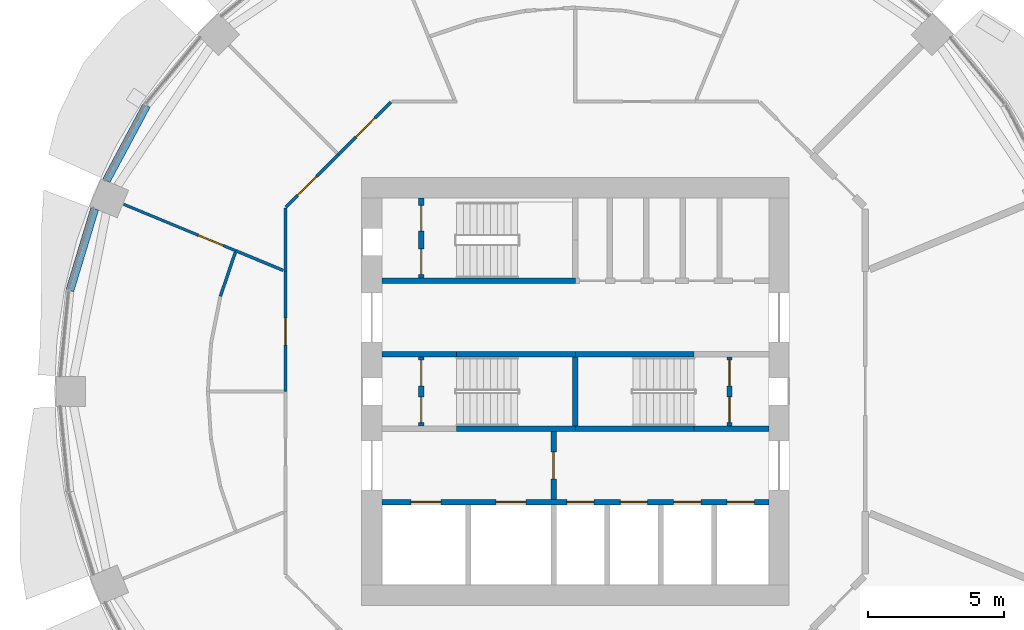
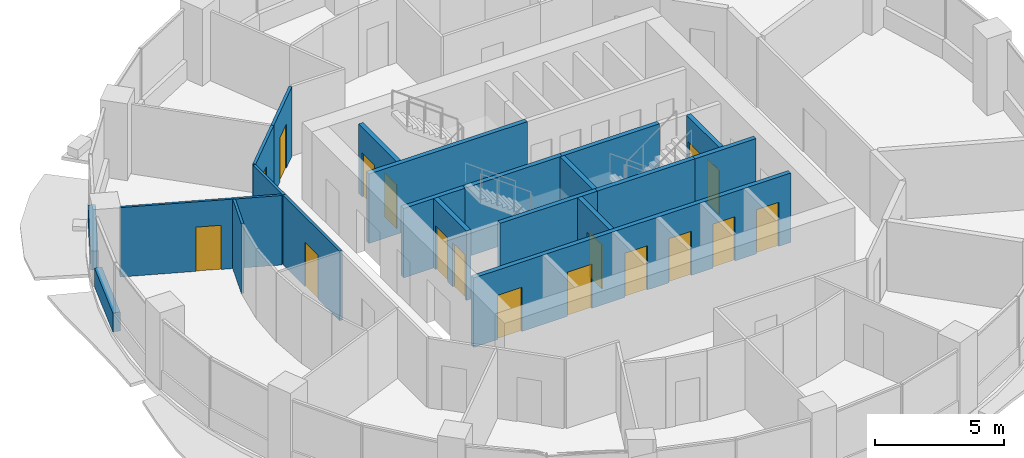
# One storey, part 8 of 14: 22 walls, 17 doors, 17 openings.
"""IFC4 building model written with IfcOpenShell, lengths in metres."""

from ifc_helpers import new_model, si_unit, direction, frame, frame_2d, origin, place, context, subcontext, project, spatial, rectangle, extrude, material, layer, layer_set, type_object, element, fill, save


model = new_model("IFC4")

# Units and contexts
model_context = context("Model", 3, precision=1e-05, world=origin(), true_north=direction((0.0, 1.0)))
body_context = subcontext(model_context, "Body", "Model", "MODEL_VIEW")
ifc_project = project(units=[si_unit("LENGTHUNIT", "METRE"), si_unit("AREAUNIT", "SQUARE_METRE"), si_unit("VOLUMEUNIT", "CUBIC_METRE"), si_unit("PLANEANGLEUNIT", "RADIAN"), si_unit("MASSUNIT", "GRAM", prefix="KILO")], contexts=[model_context])

# Site, building, storey
site_placement = place(None, origin())
site = spatial("IfcSite", under=ifc_project, at=site_placement, CompositionType="ELEMENT")
building_placement = place(site_placement, origin())
building = spatial("IfcBuilding", under=site, at=building_placement, Name="Polderwave Tower", CompositionType="ELEMENT")
storey_placement = place(building_placement, frame((0.0, 0.0, 109.25)))
storey = spatial("IfcBuildingStorey", under=building, at=storey_placement, Name="L28", CompositionType="ELEMENT", Elevation=109.25)

# Walls
ifc_material_1 = material(Name="Concrete C50/60 (board-marked)", Category="concrete")
ifc_layer_1 = layer(ifc_material_1, 0.300048828125)
ifc_layer_set_1 = layer_set([ifc_layer_1], Name="Concrete spandrel upstand C50/60")
wall_type_1 = type_object("IfcWallType", Name="Concrete spandrel upstand C50/60", PredefinedType="SOLIDWALL", material=ifc_layer_set_1)
wall_1_placement = place(storey_placement, frame((-15.7880859375, 10.53173828125, 0.0), z_axis=(0.0, 0.0, 1.0), x_axis=(-0.471375185282, -0.88193278355, 0.0)))
element("IfcWall", 1, at=wall_1_placement, inside=storey, type_object=wall_type_1, Name="Spandrel L28 7b", PredefinedType="SOLIDWALL", context=body_context, shape_type="SweptSolid", body=[
    extrude(rectangle(XDim=3.13916015625, YDim=0.300048828125, at=frame_2d((1.569580078125, 0.0))), origin(), (0.0, 0.0, 1.0), 0.89990234375),
])
wall_2_placement = place(storey_placement, frame((-17.699462890625, 6.7216796875, 0.0), z_axis=(0.0, 0.0, 1.0), x_axis=(-0.290214584271, -0.956961595403, 0.0)))
element("IfcWall", 2, at=wall_2_placement, inside=storey, type_object=wall_type_1, Name="Spandrel L28 8a", PredefinedType="SOLIDWALL", context=body_context, shape_type="SweptSolid", body=[
    extrude(rectangle(XDim=3.139404296875, YDim=0.300048828125, at=frame_2d((1.56982421875, 0.0))), origin(), (0.0, 0.0, 1.0), 0.89990234375),
])

# Wall, opening, door
ifc_material_2 = material(Name="Gypsum board partition")
ifc_layer_2 = layer(ifc_material_2, 0.199951171875)
ifc_layer_set_2 = layer_set([ifc_layer_2], Name="Core room partition 200")
wall_type_2 = type_object("IfcWallType", Name="Core room partition 200", PredefinedType="PARTITIONING", material=ifc_layer_set_2)
wall_3_placement = place(storey_placement, frame((-0.800048828125, -3.97412109375, 0.0), z_axis=(0.0, 0.0, 1.0), x_axis=(0.0, 1.0, 0.0)))
wall_3 = element("IfcWall", 3, at=wall_3_placement, inside=storey, type_object=wall_type_2, Name="L28 fire-fighting lobby wall", PredefinedType="PARTITIONING", context=body_context, shape_type="SweptSolid", body=[
    extrude(rectangle(XDim=2.4990234375, YDim=0.199951171875, at=frame_2d((1.24951171875, 0.0))), origin(), (0.0, 0.0, 1.0), 3.300048828125),
])
opening_1_placement = place(wall_3_placement, frame((0.74951171875, 0.0, 0.0)))
opening_1 = element("IfcOpeningElement", 4, at=opening_1_placement, cuts=wall_3, Name="Opening L28-D13", PredefinedType="OPENING", context=body_context, shape_type="SweptSolid", body=[
    extrude(rectangle(XDim=1.0, YDim=2.10009765625, at=frame_2d((0.5, 1.050048828125))), frame((0.0, 0.10986328125, 0.0), z_axis=(0.0, -1.0, 0.0), x_axis=(1.0, 0.0, 0.0)), (0.0, 0.0, 1.0), 0.219970703125),
])
ifc_material_3 = material(Name="Steel fire door", Category="steel")
door_type_1 = type_object("IfcDoorType", Name="Lobby fire door 1000", OperationType="NOTDEFINED", PredefinedType="DOOR", material=ifc_material_3)
door_1_placement = place(opening_1_placement, frame((1.0, 0.0, 0.0), z_axis=(0.0, 0.0, 1.0), x_axis=(-1.0, 0.0, 0.0)))
door_1 = element("IfcDoor", 5, at=door_1_placement, inside=storey, type_object=door_type_1, Name="Fire-fighting lobby door", OperationType="SINGLE_SWING_LEFT", OverallHeight=2.10009765625, OverallWidth=1.0, PredefinedType="DOOR", context=body_context, shape_type="SweptSolid", body=[
    extrude(rectangle(XDim=1.0, YDim=2.10009765625, at=frame_2d((0.5, 1.050048828125))), frame((0.0, 0.02490234375, 0.0), z_axis=(0.0, -1.0, 0.0), x_axis=(1.0, 0.0, 0.0)), (0.0, 0.0, 1.0), 0.050048828125),
])
fill(opening_1, door_1)

# Wall, openings, doors
wall_4_placement = place(storey_placement, frame((-5.674072265625, -1.27490234375, 0.0), z_axis=(0.0, 0.0, 1.0), x_axis=(0.0, 1.0, 0.0)))
wall_4 = element("IfcWall", 6, at=wall_4_placement, inside=storey, type_object=wall_type_2, Name="L28 smoke lobby wall A", PredefinedType="PARTITIONING", context=body_context, shape_type="SweptSolid", body=[
    extrude(rectangle(XDim=2.5498046875, YDim=0.199951171875, at=frame_2d((1.27490234375, 0.0))), origin(), (0.0, 0.0, 1.0), 3.300048828125),
])
opening_2_placement = place(wall_4_placement, frame((0.125, 0.0, 0.0)))
opening_2 = element("IfcOpeningElement", 7, at=opening_2_placement, cuts=wall_4, Name="Opening L28-D07", PredefinedType="OPENING", context=body_context, shape_type="SweptSolid", body=[
    extrude(rectangle(XDim=0.949951171875, YDim=2.10009765625, at=frame_2d((0.47509765625, 1.050048828125))), frame((0.0, 0.10986328125, 0.0), z_axis=(0.0, -1.0, 0.0), x_axis=(1.0, 0.0, 0.0)), (0.0, 0.0, 1.0), 0.219970703125),
])
opening_3_placement = place(wall_4_placement, frame((1.47509765625, 0.0, 0.0)))
opening_3 = element("IfcOpeningElement", 8, at=opening_3_placement, cuts=wall_4, Name="Opening L28-D08", PredefinedType="OPENING", context=body_context, shape_type="SweptSolid", body=[
    extrude(rectangle(XDim=0.949951171875, YDim=2.10009765625, at=frame_2d((0.47509765625, 1.050048828125))), frame((0.0, 0.10986328125, 0.0), z_axis=(0.0, -1.0, 0.0), x_axis=(1.0, 0.0, 0.0)), (0.0, 0.0, 1.0), 0.219970703125),
])
door_type_2 = type_object("IfcDoorType", Name="Smoke lobby door 950", OperationType="NOTDEFINED", PredefinedType="DOOR", material=ifc_material_3)
door_2_placement = place(opening_2_placement, origin())
door_2 = element("IfcDoor", 9, at=door_2_placement, inside=storey, type_object=door_type_2, Name="Stair A smoke lobby inner door", OperationType="SINGLE_SWING_LEFT", OverallHeight=2.10009765625, OverallWidth=0.949951171875, PredefinedType="DOOR", context=body_context, shape_type="SweptSolid", body=[
    extrude(rectangle(XDim=0.949951171875, YDim=2.10009765625, at=frame_2d((0.47509765625, 1.050048828125))), frame((0.0, 0.02490234375, 0.0), z_axis=(0.0, -1.0, 0.0), x_axis=(1.0, 0.0, 0.0)), (0.0, 0.0, 1.0), 0.050048828125),
])
fill(opening_2, door_2)
door_3_placement = place(opening_3_placement, origin())
door_3 = element("IfcDoor", 10, at=door_3_placement, inside=storey, type_object=door_type_2, Name="Stair A smoke lobby inner door", OperationType="SINGLE_SWING_RIGHT", OverallHeight=2.10009765625, OverallWidth=0.949951171875, PredefinedType="DOOR", context=body_context, shape_type="SweptSolid", body=[
    extrude(rectangle(XDim=0.949951171875, YDim=2.10009765625, at=frame_2d((0.47509765625, 1.050048828125))), frame((0.0, 0.02490234375, 0.0), z_axis=(0.0, -1.0, 0.0), x_axis=(1.0, 0.0, 0.0)), (0.0, 0.0, 1.0), 0.050048828125),
])
fill(opening_3, door_3)

wall_5_placement = place(storey_placement, frame((5.674072265625, -1.27490234375, 0.0), z_axis=(0.0, 0.0, 1.0), x_axis=(0.0, 1.0, 0.0)))
wall_5 = element("IfcWall", 11, at=wall_5_placement, inside=storey, type_object=wall_type_2, Name="L28 smoke lobby wall B", PredefinedType="PARTITIONING", context=body_context, shape_type="SweptSolid", body=[
    extrude(rectangle(XDim=2.5498046875, YDim=0.199951171875, at=frame_2d((1.27490234375, 0.0))), origin(), (0.0, 0.0, 1.0), 3.300048828125),
])
opening_4_placement = place(wall_5_placement, frame((0.125, 0.0, 0.0)))
opening_4 = element("IfcOpeningElement", 12, at=opening_4_placement, cuts=wall_5, Name="Opening L28-D09", PredefinedType="OPENING", context=body_context, shape_type="SweptSolid", body=[
    extrude(rectangle(XDim=0.949951171875, YDim=2.10009765625, at=frame_2d((0.47509765625, 1.050048828125))), frame((0.0, 0.10986328125, 0.0), z_axis=(0.0, -1.0, 0.0), x_axis=(1.0, 0.0, 0.0)), (0.0, 0.0, 1.0), 0.219970703125),
])
opening_5_placement = place(wall_5_placement, frame((1.47509765625, 0.0, 0.0)))
opening_5 = element("IfcOpeningElement", 13, at=opening_5_placement, cuts=wall_5, Name="Opening L28-D10", PredefinedType="OPENING", context=body_context, shape_type="SweptSolid", body=[
    extrude(rectangle(XDim=0.949951171875, YDim=2.10009765625, at=frame_2d((0.47509765625, 1.050048828125))), frame((0.0, 0.10986328125, 0.0), z_axis=(0.0, -1.0, 0.0), x_axis=(1.0, 0.0, 0.0)), (0.0, 0.0, 1.0), 0.219970703125),
])
door_4_placement = place(opening_4_placement, frame((0.949951171875, 0.0, 0.0), z_axis=(0.0, 0.0, 1.0), x_axis=(-1.0, 0.0, 0.0)))
door_4 = element("IfcDoor", 14, at=door_4_placement, inside=storey, type_object=door_type_2, Name="Stair B smoke lobby inner door", OperationType="SINGLE_SWING_RIGHT", OverallHeight=2.10009765625, OverallWidth=0.949951171875, PredefinedType="DOOR", context=body_context, shape_type="SweptSolid", body=[
    extrude(rectangle(XDim=0.949951171875, YDim=2.10009765625, at=frame_2d((0.47509765625, 1.050048828125))), frame((0.0, 0.02490234375, 0.0), z_axis=(0.0, -1.0, 0.0), x_axis=(1.0, 0.0, 0.0)), (0.0, 0.0, 1.0), 0.050048828125),
])
fill(opening_4, door_4)
door_5_placement = place(opening_5_placement, frame((0.949951171875, 0.0, 0.0), z_axis=(0.0, 0.0, 1.0), x_axis=(-1.0, 0.0, 0.0)))
door_5 = element("IfcDoor", 15, at=door_5_placement, inside=storey, type_object=door_type_2, Name="Stair B smoke lobby inner door", OperationType="SINGLE_SWING_LEFT", OverallHeight=2.10009765625, OverallWidth=0.949951171875, PredefinedType="DOOR", context=body_context, shape_type="SweptSolid", body=[
    extrude(rectangle(XDim=0.949951171875, YDim=2.10009765625, at=frame_2d((0.47509765625, 1.050048828125))), frame((0.0, 0.02490234375, 0.0), z_axis=(0.0, -1.0, 0.0), x_axis=(1.0, 0.0, 0.0)), (0.0, 0.0, 1.0), 0.050048828125),
])
fill(opening_5, door_5)

wall_6_placement = place(storey_placement, frame((-5.674072265625, 4.174072265625, 0.0), z_axis=(0.0, 0.0, 1.0), x_axis=(0.0, 1.0, 0.0)))
wall_6 = element("IfcWall", 16, at=wall_6_placement, inside=storey, type_object=wall_type_2, Name="L28 smoke lobby wall C", PredefinedType="PARTITIONING", context=body_context, shape_type="SweptSolid", body=[
    extrude(rectangle(XDim=2.949951171875, YDim=0.199951171875, at=frame_2d((1.47509765625, 0.0))), origin(), (0.0, 0.0, 1.0), 3.300048828125),
])
opening_6_placement = place(wall_6_placement, frame((0.125, 0.0, 0.0)))
opening_6 = element("IfcOpeningElement", 17, at=opening_6_placement, cuts=wall_6, Name="Opening L28-D11", PredefinedType="OPENING", context=body_context, shape_type="SweptSolid", body=[
    extrude(rectangle(XDim=0.949951171875, YDim=2.10009765625, at=frame_2d((0.47509765625, 1.050048828125))), frame((0.0, 0.10986328125, 0.0), z_axis=(0.0, -1.0, 0.0), x_axis=(1.0, 0.0, 0.0)), (0.0, 0.0, 1.0), 0.219970703125),
])
opening_7_placement = place(wall_6_placement, frame((1.72509765625, 0.0, 0.0)))
opening_7 = element("IfcOpeningElement", 18, at=opening_7_placement, cuts=wall_6, Name="Opening L28-D12", PredefinedType="OPENING", context=body_context, shape_type="SweptSolid", body=[
    extrude(rectangle(XDim=0.949951171875, YDim=2.10009765625, at=frame_2d((0.47509765625, 1.050048828125))), frame((0.0, 0.10986328125, 0.0), z_axis=(0.0, -1.0, 0.0), x_axis=(1.0, 0.0, 0.0)), (0.0, 0.0, 1.0), 0.219970703125),
])
door_6_placement = place(opening_6_placement, origin())
door_6 = element("IfcDoor", 19, at=door_6_placement, inside=storey, type_object=door_type_2, Name="Stair C smoke lobby inner door", OperationType="SINGLE_SWING_LEFT", OverallHeight=2.10009765625, OverallWidth=0.949951171875, PredefinedType="DOOR", context=body_context, shape_type="SweptSolid", body=[
    extrude(rectangle(XDim=0.949951171875, YDim=2.10009765625, at=frame_2d((0.47509765625, 1.050048828125))), frame((0.0, 0.02490234375, 0.0), z_axis=(0.0, -1.0, 0.0), x_axis=(1.0, 0.0, 0.0)), (0.0, 0.0, 1.0), 0.050048828125),
])
fill(opening_6, door_6)
door_7_placement = place(opening_7_placement, origin())
door_7 = element("IfcDoor", 20, at=door_7_placement, inside=storey, type_object=door_type_2, Name="Stair C smoke lobby inner door", OperationType="SINGLE_SWING_RIGHT", OverallHeight=2.10009765625, OverallWidth=0.949951171875, PredefinedType="DOOR", context=body_context, shape_type="SweptSolid", body=[
    extrude(rectangle(XDim=0.949951171875, YDim=2.10009765625, at=frame_2d((0.47509765625, 1.050048828125))), frame((0.0, 0.02490234375, 0.0), z_axis=(0.0, -1.0, 0.0), x_axis=(1.0, 0.0, 0.0)), (0.0, 0.0, 1.0), 0.050048828125),
])
fill(opening_7, door_7)

ifc_material_4 = material(Name="Concrete C50/60", Category="concrete")
ifc_layer_3 = layer(ifc_material_4, 0.199951171875)
ifc_layer_set_3 = layer_set([ifc_layer_3], Name="Core web wall 200")
wall_type_3 = type_object("IfcWallType", Name="Core web wall 200", PredefinedType="SHEAR", material=ifc_layer_set_3)
wall_7_placement = place(storey_placement, frame((-7.1240234375, -4.073974609375, 0.0), z_axis=(0.0, 0.0, 1.0), x_axis=(1.0, 0.0, 0.0)))
wall_7 = element("IfcWall", 21, at=wall_7_placement, inside=storey, type_object=wall_type_3, Name="L28 south front wall", PredefinedType="SHEAR", context=body_context, shape_type="SweptSolid", body=[
    extrude(rectangle(XDim=14.248046875, YDim=0.199951171875, at=frame_2d((7.1240234375, 0.0))), origin(), (0.0, 0.0, 1.0), 3.300048828125),
])
opening_8_placement = place(wall_7_placement, frame((1.068603515625, 0.0, 0.0)))
opening_8 = element("IfcOpeningElement", 22, at=opening_8_placement, cuts=wall_7, Name="Opening L28-D01", PredefinedType="OPENING", context=body_context, shape_type="SweptSolid", body=[
    extrude(rectangle(XDim=1.10009765625, YDim=2.10009765625, at=frame_2d((0.550048828125, 1.050048828125))), frame((0.0, 0.10986328125, 0.0), z_axis=(0.0, -1.0, 0.0), x_axis=(1.0, 0.0, 0.0)), (0.0, 0.0, 1.0), 0.219970703125),
])
opening_9_placement = place(wall_7_placement, frame((4.20556640625, 0.0, 0.0)))
opening_9 = element("IfcOpeningElement", 23, at=opening_9_placement, cuts=wall_7, Name="Opening L28-D02", PredefinedType="OPENING", context=body_context, shape_type="SweptSolid", body=[
    extrude(rectangle(XDim=1.10009765625, YDim=2.10009765625, at=frame_2d((0.550048828125, 1.050048828125))), frame((0.0, 0.10986328125, 0.0), z_axis=(0.0, -1.0, 0.0), x_axis=(1.0, 0.0, 0.0)), (0.0, 0.0, 1.0), 0.219970703125),
])
opening_10_placement = place(wall_7_placement, frame((6.80810546875, 0.0, 0.0)))
opening_10 = element("IfcOpeningElement", 24, at=opening_10_placement, cuts=wall_7, Name="Opening L28-D03", PredefinedType="OPENING", context=body_context, shape_type="SweptSolid", body=[
    extrude(rectangle(XDim=1.0, YDim=2.10009765625, at=frame_2d((0.5, 1.050048828125))), frame((0.0, 0.10986328125, 0.0), z_axis=(0.0, -1.0, 0.0), x_axis=(1.0, 0.0, 0.0)), (0.0, 0.0, 1.0), 0.219970703125),
])
opening_11_placement = place(wall_7_placement, frame((8.776611328125, 0.0, 0.0)))
opening_11 = element("IfcOpeningElement", 25, at=opening_11_placement, cuts=wall_7, Name="Opening L28-D04", PredefinedType="OPENING", context=body_context, shape_type="SweptSolid", body=[
    extrude(rectangle(XDim=1.0, YDim=2.10009765625, at=frame_2d((0.5, 1.050048828125))), frame((0.0, 0.10986328125, 0.0), z_axis=(0.0, -1.0, 0.0), x_axis=(1.0, 0.0, 0.0)), (0.0, 0.0, 1.0), 0.219970703125),
])
opening_12_placement = place(wall_7_placement, frame((10.7451171875, 0.0, 0.0)))
opening_12 = element("IfcOpeningElement", 26, at=opening_12_placement, cuts=wall_7, Name="Opening L28-D05", PredefinedType="OPENING", context=body_context, shape_type="SweptSolid", body=[
    extrude(rectangle(XDim=1.0, YDim=2.10009765625, at=frame_2d((0.5, 1.050048828125))), frame((0.0, 0.10986328125, 0.0), z_axis=(0.0, -1.0, 0.0), x_axis=(1.0, 0.0, 0.0)), (0.0, 0.0, 1.0), 0.219970703125),
])
opening_13_placement = place(wall_7_placement, frame((12.7138671875, 0.0, 0.0)))
opening_13 = element("IfcOpeningElement", 27, at=opening_13_placement, cuts=wall_7, Name="Opening L28-D06", PredefinedType="OPENING", context=body_context, shape_type="SweptSolid", body=[
    extrude(rectangle(XDim=1.0, YDim=2.10009765625, at=frame_2d((0.5, 1.050048828125))), frame((0.0, 0.10986328125, 0.0), z_axis=(0.0, -1.0, 0.0), x_axis=(1.0, 0.0, 0.0)), (0.0, 0.0, 1.0), 0.219970703125),
])
ifc_material_5 = material(Name="Stainless steel", Category="steel")
door_type_3 = type_object("IfcDoorType", Name="Fire-fighting lift landing door 1100", OperationType="DOUBLE_DOOR_SLIDING", PredefinedType="DOOR", material=ifc_material_5)
door_8_placement = place(opening_8_placement, origin())
door_8 = element("IfcDoor", 28, at=door_8_placement, inside=storey, type_object=door_type_3, Name="Fire-fighting lift FF1 landing door", OperationType="DOUBLE_DOOR_SLIDING", OverallHeight=2.10009765625, OverallWidth=1.10009765625, PredefinedType="DOOR", context=body_context, shape_type="SweptSolid", body=[
    extrude(rectangle(XDim=1.10009765625, YDim=2.10009765625, at=frame_2d((0.550048828125, 1.050048828125))), frame((0.0, 0.02490234375, 0.0), z_axis=(0.0, -1.0, 0.0), x_axis=(1.0, 0.0, 0.0)), (0.0, 0.0, 1.0), 0.050048828125),
])
fill(opening_8, door_8)
door_9_placement = place(opening_9_placement, origin())
door_9 = element("IfcDoor", 29, at=door_9_placement, inside=storey, type_object=door_type_3, Name="Fire-fighting lift FF2 landing door", OperationType="DOUBLE_DOOR_SLIDING", OverallHeight=2.10009765625, OverallWidth=1.10009765625, PredefinedType="DOOR", context=body_context, shape_type="SweptSolid", body=[
    extrude(rectangle(XDim=1.10009765625, YDim=2.10009765625, at=frame_2d((0.550048828125, 1.050048828125))), frame((0.0, 0.02490234375, 0.0), z_axis=(0.0, -1.0, 0.0), x_axis=(1.0, 0.0, 0.0)), (0.0, 0.0, 1.0), 0.050048828125),
])
fill(opening_9, door_9)
door_type_4 = type_object("IfcDoorType", Name="Lift landing door 1000", OperationType="DOUBLE_DOOR_SLIDING", PredefinedType="DOOR", material=ifc_material_5)
door_10_placement = place(opening_10_placement, origin())
door_10 = element("IfcDoor", 30, at=door_10_placement, inside=storey, type_object=door_type_4, Name="Lift LL1 landing door", OperationType="DOUBLE_DOOR_SLIDING", OverallHeight=2.10009765625, OverallWidth=1.0, PredefinedType="DOOR", context=body_context, shape_type="SweptSolid", body=[
    extrude(rectangle(XDim=1.0, YDim=2.10009765625, at=frame_2d((0.5, 1.050048828125))), frame((0.0, 0.02490234375, 0.0), z_axis=(0.0, -1.0, 0.0), x_axis=(1.0, 0.0, 0.0)), (0.0, 0.0, 1.0), 0.050048828125),
])
fill(opening_10, door_10)
door_11_placement = place(opening_11_placement, origin())
door_11 = element("IfcDoor", 31, at=door_11_placement, inside=storey, type_object=door_type_4, Name="Lift LL2 landing door", OperationType="DOUBLE_DOOR_SLIDING", OverallHeight=2.10009765625, OverallWidth=1.0, PredefinedType="DOOR", context=body_context, shape_type="SweptSolid", body=[
    extrude(rectangle(XDim=1.0, YDim=2.10009765625, at=frame_2d((0.5, 1.050048828125))), frame((0.0, 0.02490234375, 0.0), z_axis=(0.0, -1.0, 0.0), x_axis=(1.0, 0.0, 0.0)), (0.0, 0.0, 1.0), 0.050048828125),
])
fill(opening_11, door_11)
door_12_placement = place(opening_12_placement, origin())
door_12 = element("IfcDoor", 32, at=door_12_placement, inside=storey, type_object=door_type_4, Name="Lift LL3 landing door", OperationType="DOUBLE_DOOR_SLIDING", OverallHeight=2.10009765625, OverallWidth=1.0, PredefinedType="DOOR", context=body_context, shape_type="SweptSolid", body=[
    extrude(rectangle(XDim=1.0, YDim=2.10009765625, at=frame_2d((0.5, 1.050048828125))), frame((0.0, 0.02490234375, 0.0), z_axis=(0.0, -1.0, 0.0), x_axis=(1.0, 0.0, 0.0)), (0.0, 0.0, 1.0), 0.050048828125),
])
fill(opening_12, door_12)
door_13_placement = place(opening_13_placement, origin())
door_13 = element("IfcDoor", 33, at=door_13_placement, inside=storey, type_object=door_type_4, Name="Lift LL4 landing door", OperationType="DOUBLE_DOOR_SLIDING", OverallHeight=2.10009765625, OverallWidth=1.0, PredefinedType="DOOR", context=body_context, shape_type="SweptSolid", body=[
    extrude(rectangle(XDim=1.0, YDim=2.10009765625, at=frame_2d((0.5, 1.050048828125))), frame((0.0, 0.02490234375, 0.0), z_axis=(0.0, -1.0, 0.0), x_axis=(1.0, 0.0, 0.0)), (0.0, 0.0, 1.0), 0.050048828125),
])
fill(opening_13, door_13)

# Walls
wall_8_placement = place(storey_placement, frame((-7.1240234375, 4.073974609375, 0.0), z_axis=(0.0, 0.0, 1.0), x_axis=(1.0, 0.0, 0.0)))
element("IfcWall", 34, at=wall_8_placement, inside=storey, type_object=wall_type_3, Name="L28 north front wall 1", PredefinedType="SHEAR", context=body_context, shape_type="SweptSolid", body=[
    extrude(rectangle(XDim=7.1240234375, YDim=0.199951171875, at=frame_2d((3.56201171875, 0.0))), origin(), (0.0, 0.0, 1.0), 3.300048828125),
])
for number, where, z_axis, x_axis, name in (
    (35, (-4.3740234375, -1.375, 0.0), (0.0, 0.0, 1.0), (1.0, 0.0, 0.0), "L28 south stair wall 2"),
    (36, (0.0, -1.375, 0.0), (0.0, 0.0, 1.0), (1.0, 0.0, 0.0), "L28 south stair wall 3"),
):
    element("IfcWall", number, at=place(storey_placement, frame(where, z_axis=z_axis, x_axis=x_axis)), inside=storey, type_object=wall_type_3, Name=name, PredefinedType="SHEAR", context=body_context, shape_type="SweptSolid", body=[
        extrude(rectangle(XDim=4.3740234375, YDim=0.199951171875, at=frame_2d((2.18701171875, 0.0))), origin(), (0.0, 0.0, 1.0), 3.300048828125),
    ])
for number, where, z_axis, x_axis, name in (
    (37, (4.3740234375, -1.375, 0.0), (0.0, 0.0, 1.0), (1.0, 0.0, 0.0), "L28 south stair wall 4"),
    (38, (-7.1240234375, 1.375, 0.0), (0.0, 0.0, 1.0), (1.0, 0.0, 0.0), "L28 north stair wall 1"),
):
    element("IfcWall", number, at=place(storey_placement, frame(where, z_axis=z_axis, x_axis=x_axis)), inside=storey, type_object=wall_type_3, Name=name, PredefinedType="SHEAR", context=body_context, shape_type="SweptSolid", body=[
        extrude(rectangle(XDim=2.75, YDim=0.199951171875, at=frame_2d((1.375, 0.0))), origin(), (0.0, 0.0, 1.0), 3.300048828125),
    ])
for number, where, z_axis, x_axis, name in (
    (39, (-4.3740234375, 1.375, 0.0), (0.0, 0.0, 1.0), (1.0, 0.0, 0.0), "L28 north stair wall 2"),
    (40, (0.0, 1.375, 0.0), (0.0, 0.0, 1.0), (1.0, 0.0, 0.0), "L28 north stair wall 3"),
):
    element("IfcWall", number, at=place(storey_placement, frame(where, z_axis=z_axis, x_axis=x_axis)), inside=storey, type_object=wall_type_3, Name=name, PredefinedType="SHEAR", context=body_context, shape_type="SweptSolid", body=[
        extrude(rectangle(XDim=4.3740234375, YDim=0.199951171875, at=frame_2d((2.18701171875, 0.0))), origin(), (0.0, 0.0, 1.0), 3.300048828125),
    ])
wall_9_placement = place(storey_placement, frame((0.0, -1.27490234375, 0.0), z_axis=(0.0, 0.0, 1.0), x_axis=(0.0, 1.0, 0.0)))
element("IfcWall", 41, at=wall_9_placement, inside=storey, type_object=wall_type_3, Name="L28 wall between the stairs", PredefinedType="SHEAR", context=body_context, shape_type="SweptSolid", body=[
    extrude(rectangle(XDim=2.5498046875, YDim=0.199951171875, at=frame_2d((1.27490234375, 0.0))), origin(), (0.0, 0.0, 1.0), 3.300048828125),
])

# Wall, opening, door
ifc_material_6 = material(Name="Fire-resisting board on steel studs", Category="steel")
ifc_layer_4 = layer(ifc_material_6, 0.125)
ifc_layer_set_4 = layer_set([ifc_layer_4], Name="Corridor wall 125 mm EI 60")
wall_type_4 = type_object("IfcWallType", Name="Corridor wall 125 mm EI 60", PredefinedType="PARTITIONING", material=ifc_layer_set_4)
wall_10_placement = place(storey_placement, frame((-8.722412109375, 8.722412109375, 0.0), z_axis=(0.0, 0.0, 1.0), x_axis=(0.707062130741, 0.707151428813, 0.0)))
wall_10 = element("IfcWall", 42, at=wall_10_placement, inside=storey, type_object=wall_type_4, Name="IN-L28-W009", PredefinedType="PARTITIONING", context=body_context, shape_type="SweptSolid", body=[
    extrude(rectangle(XDim=2.73388671875, YDim=0.125, at=frame_2d((1.366943359375, 0.0))), origin(), (0.0, 0.0, 1.0), 3.300048828125),
])
opening_14_placement = place(wall_10_placement, frame((0.89990234375, 0.0, 0.0)))
opening_14 = element("IfcOpeningElement", 43, at=opening_14_placement, cuts=wall_10, Name="Opening L28-D55", PredefinedType="OPENING", context=body_context, shape_type="SweptSolid", body=[
    extrude(rectangle(XDim=1.0, YDim=2.10009765625, at=frame_2d((0.5, 1.050048828125))), frame((0.0, 0.072509765625, 0.0), z_axis=(0.0, -1.0, 0.0), x_axis=(1.0, 0.0, 0.0)), (0.0, 0.0, 1.0), 0.14501953125),
])
ifc_material_7 = material(Name="Timber fire door leaf", Category="wood")
door_type_5 = type_object("IfcDoorType", Name="Fire door FD30S 1000 x 2100", OperationType="NOTDEFINED", PredefinedType="DOOR", material=ifc_material_7)
door_14_placement = place(opening_14_placement, origin())
door_14 = element("IfcDoor", 44, at=door_14_placement, inside=storey, type_object=door_type_5, Name="Door L28-D55", OperationType="SINGLE_SWING_RIGHT", OverallHeight=2.10009765625, OverallWidth=1.0, PredefinedType="DOOR", context=body_context, shape_type="SweptSolid", body=[
    extrude(rectangle(XDim=1.0, YDim=2.10009765625, at=frame_2d((0.5, 1.050048828125))), frame((0.0, 0.02490234375, 0.0), z_axis=(0.0, -1.0, 0.0), x_axis=(1.0, 0.0, 0.0)), (0.0, 0.0, 1.0), 0.050048828125),
])
fill(opening_14, door_14)

# Wall
wall_11_placement = place(storey_placement, frame((-10.674072265625, 4.42138671875, 0.0), z_axis=(0.0, 0.0, 1.0), x_axis=(0.0, 1.0, 0.0)))
element("IfcWall", 45, at=wall_11_placement, inside=storey, type_object=wall_type_4, Name="IN-L28-W011", PredefinedType="PARTITIONING", context=body_context, shape_type="SweptSolid", body=[
    extrude(rectangle(XDim=2.32373046875, YDim=0.125, at=frame_2d((1.161865234375, 0.0))), origin(), (0.0, 0.0, 1.0), 3.300048828125),
])

# Wall, opening, door
wall_12_placement = place(storey_placement, frame((-10.65576171875, 6.789306640625, 0.0), z_axis=(0.0, 0.0, 1.0), x_axis=(0.707151428813, 0.707062130741, 0.0)))
wall_12 = element("IfcWall", 46, at=wall_12_placement, inside=storey, type_object=wall_type_4, Name="IN-L28-W012", PredefinedType="PARTITIONING", context=body_context, shape_type="SweptSolid", body=[
    extrude(rectangle(XDim=2.73388671875, YDim=0.125, at=frame_2d((1.366943359375, 0.0))), origin(), (0.0, 0.0, 1.0), 3.300048828125),
])
opening_15_placement = place(wall_12_placement, frame((0.60009765625, 0.0, 0.0)))
opening_15 = element("IfcOpeningElement", 47, at=opening_15_placement, cuts=wall_12, Name="Opening L28-D56", PredefinedType="OPENING", context=body_context, shape_type="SweptSolid", body=[
    extrude(rectangle(XDim=1.0, YDim=2.10009765625, at=frame_2d((0.5, 1.050048828125))), frame((0.0, 0.072509765625, 0.0), z_axis=(0.0, -1.0, 0.0), x_axis=(1.0, 0.0, 0.0)), (0.0, 0.0, 1.0), 0.14501953125),
])
door_15_placement = place(opening_15_placement, origin())
door_15 = element("IfcDoor", 48, at=door_15_placement, inside=storey, type_object=door_type_5, Name="Door L28-D56", OperationType="SINGLE_SWING_LEFT", OverallHeight=2.10009765625, OverallWidth=1.0, PredefinedType="DOOR", context=body_context, shape_type="SweptSolid", body=[
    extrude(rectangle(XDim=1.0, YDim=2.10009765625, at=frame_2d((0.5, 1.050048828125))), frame((0.0, 0.02490234375, 0.0), z_axis=(0.0, -1.0, 0.0), x_axis=(1.0, 0.0, 0.0)), (0.0, 0.0, 1.0), 0.050048828125),
])
fill(opening_15, door_15)

wall_13_placement = place(storey_placement, frame((-10.674072265625, 0.0, 0.0), z_axis=(0.0, 0.0, 1.0), x_axis=(0.0, 1.0, 0.0)))
wall_13 = element("IfcWall", 49, at=wall_13_placement, inside=storey, type_object=wall_type_4, Name="IN-L28-W013", PredefinedType="PARTITIONING", context=body_context, shape_type="SweptSolid", body=[
    extrude(rectangle(XDim=4.42138671875, YDim=0.125, at=frame_2d((2.210693359375, 0.0))), origin(), (0.0, 0.0, 1.0), 3.300048828125),
])
opening_16_placement = place(wall_13_placement, frame((1.699951171875, 0.0, 0.0)))
opening_16 = element("IfcOpeningElement", 50, at=opening_16_placement, cuts=wall_13, Name="Opening L28-D57", PredefinedType="OPENING", context=body_context, shape_type="SweptSolid", body=[
    extrude(rectangle(XDim=1.0, YDim=2.10009765625, at=frame_2d((0.5, 1.050048828125))), frame((0.0, 0.072509765625, 0.0), z_axis=(0.0, -1.0, 0.0), x_axis=(1.0, 0.0, 0.0)), (0.0, 0.0, 1.0), 0.14501953125),
])
door_16_placement = place(opening_16_placement, origin())
door_16 = element("IfcDoor", 51, at=door_16_placement, inside=storey, type_object=door_type_5, Name="Door L28-D57", OperationType="SINGLE_SWING_LEFT", OverallHeight=2.10009765625, OverallWidth=1.0, PredefinedType="DOOR", context=body_context, shape_type="SweptSolid", body=[
    extrude(rectangle(XDim=1.0, YDim=2.10009765625, at=frame_2d((0.5, 1.050048828125))), frame((0.0, 0.02490234375, 0.0), z_axis=(0.0, -1.0, 0.0), x_axis=(1.0, 0.0, 0.0)), (0.0, 0.0, 1.0), 0.050048828125),
])
fill(opening_16, door_16)

ifc_material_8 = material(Name="Plasterboard on steel studs", Category="steel")
ifc_layer_5 = layer(ifc_material_8, 0.10009765625)
ifc_layer_set_5 = layer_set([ifc_layer_5], Name="Partition 100 mm plasterboard on steel studs")
wall_type_5 = type_object("IfcWallType", Name="Partition 100 mm plasterboard on steel studs", PredefinedType="PARTITIONING", material=ifc_layer_set_5)
wall_14_placement = place(storey_placement, frame((-12.5, 5.177734375, 0.0), z_axis=(0.0, 0.0, 1.0), x_axis=(-0.923895686767, 0.382644430213, 0.0)))
wall_14 = element("IfcWall", 52, at=wall_14_placement, inside=storey, type_object=wall_type_5, Name="IN-L28-W038", PredefinedType="PARTITIONING", context=body_context, shape_type="SweptSolid", body=[
    extrude(rectangle(XDim=4.469970703125, YDim=0.10009765625, at=frame_2d((2.23486328125, 0.0))), origin(), (0.0, 0.0, 1.0), 3.300048828125),
])
opening_17_placement = place(wall_14_placement, frame((0.5, 0.0, 0.0)))
opening_17 = element("IfcOpeningElement", 53, at=opening_17_placement, cuts=wall_14, Name="Opening L28-D64", PredefinedType="OPENING", context=body_context, shape_type="SweptSolid", body=[
    extrude(rectangle(XDim=1.0, YDim=2.10009765625, at=frame_2d((0.5, 1.050048828125))), frame((0.0, 0.06005859375, 0.0), z_axis=(0.0, -1.0, 0.0), x_axis=(1.0, 0.0, 0.0)), (0.0, 0.0, 1.0), 0.1201171875),
])
ifc_material_9 = material(Name="Timber veneer door leaf", Category="wood")
door_type_6 = type_object("IfcDoorType", Name="Single door 1000 x 2100", OperationType="NOTDEFINED", PredefinedType="DOOR", material=ifc_material_9)
door_17_placement = place(opening_17_placement, origin())
door_17 = element("IfcDoor", 54, at=door_17_placement, inside=storey, type_object=door_type_6, Name="Door L28-D64", OperationType="SINGLE_SWING_LEFT", OverallHeight=2.10009765625, OverallWidth=1.0, PredefinedType="DOOR", context=body_context, shape_type="SweptSolid", body=[
    extrude(rectangle(XDim=1.0, YDim=2.10009765625, at=frame_2d((0.5, 1.050048828125))), frame((0.0, 0.02490234375, 0.0), z_axis=(0.0, -1.0, 0.0), x_axis=(1.0, 0.0, 0.0)), (0.0, 0.0, 1.0), 0.050048828125),
])
fill(opening_17, door_17)

# Walls
ifc_material_10 = material(Name="Acoustic double plasterboard on steel studs", Category="steel")
ifc_layer_6 = layer(ifc_material_10, 0.110107421875)
ifc_layer_set_6 = layer_set([ifc_layer_6], Name="Partition 110 mm acoustic double board")
wall_type_6 = type_object("IfcWallType", Name="Partition 110 mm acoustic double board", PredefinedType="PARTITIONING", material=ifc_layer_set_6)
wall_15_placement = place(storey_placement, frame((-10.757568359375, 4.455810546875, 0.0), z_axis=(0.0, 0.0, 1.0), x_axis=(-0.923844847366, 0.382767158983, 0.0)))
element("IfcWall", 55, at=wall_15_placement, inside=storey, type_object=wall_type_6, Name="IN-L28-W037", PredefinedType="PARTITIONING", context=body_context, shape_type="SweptSolid", body=[
    extrude(rectangle(XDim=1.885986328125, YDim=0.110107421875, at=frame_2d((0.94287109375, 0.0))), origin(), (0.0, 0.0, 1.0), 3.300048828125),
])
wall_16_placement = place(storey_placement, frame((-13.06787109375, 3.505126953125, 0.0), z_axis=(0.0, 0.0, 1.0), x_axis=(0.321413111924, 0.946939074853, 0.0)))
element("IfcWall", 56, at=wall_16_placement, inside=storey, type_object=wall_type_6, Name="IN-L28-W041", PredefinedType="PARTITIONING", context=body_context, shape_type="SweptSolid", body=[
    extrude(rectangle(XDim=1.70751953125, YDim=0.110107421875, at=frame_2d((0.853759765625, 0.0))), origin(), (0.0, 0.0, 1.0), 3.300048828125),
])

save(model, "model.ifc")
